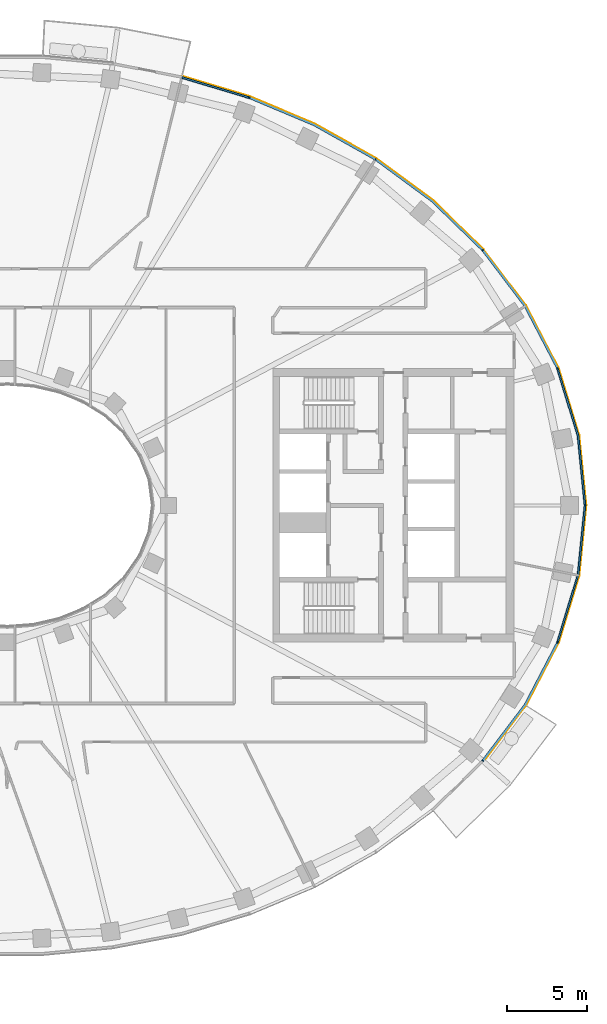
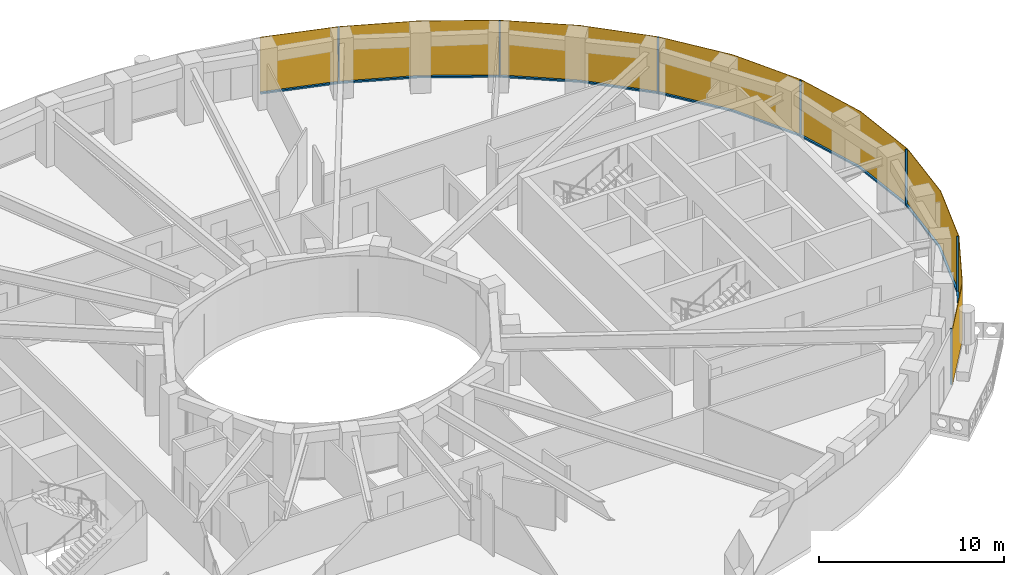
# One storey, part 13 of 16: 14 members, 1 curtain wall.
"""IFC4 building model written with IfcOpenShell, lengths in metres."""

from ifc_helpers import new_model, si_unit, direction, frame, origin, origin_2d, place, context, subcontext, project, spatial, polyline, rectangle, outline, extrude, material, layer, layer_set, material_profile, profile_set, type_object, element, aggregate, save


model = new_model("IFC4")

# Units and contexts
model_context = context("Model", 3, precision=1e-05, world=origin(), true_north=direction((0.0, 1.0)))
body_context = subcontext(model_context, "Body", "Model", "MODEL_VIEW")
ifc_project = project(units=[si_unit("LENGTHUNIT", "METRE"), si_unit("AREAUNIT", "SQUARE_METRE"), si_unit("VOLUMEUNIT", "CUBIC_METRE"), si_unit("PLANEANGLEUNIT", "RADIAN"), si_unit("MASSUNIT", "GRAM", prefix="KILO")], contexts=[model_context])

# Member
ifc_material_1 = material(Name="Aluminium 6063-T6 black anodised", Category="aluminium")
ifc_material_profile = material_profile(ifc_material_1, rectangle(XDim=0.1201171875, YDim=0.06005859375, at=origin_2d()), Name="120x60")
ifc_profile_set = profile_set([ifc_material_profile], Name="Aluminium 6063-T6 black anodised")
member_type_1 = type_object("IfcMemberType", Name="ENV-MULLION-A-120", PredefinedType="MULLION", material=ifc_profile_set)
site_placement = place(None, origin())
building_placement = place(site_placement, origin())
storey_placement = place(building_placement, frame((0.0, 0.0, 249.5)))
member_1_placement = place(storey_placement, frame((29.53857421875, -15.8671875, 0.0), z_axis=(0.0, 0.0, 1.0), x_axis=(-0.749047221705, 0.662516610853, 0.0)))
member_1 = element("IfcMember", 1, at=member_1_placement, type_object=member_type_1, Name="Mullion A radial 43", PredefinedType="MULLION", context=body_context, shape_type="SweptSolid", body=[
    extrude(rectangle(XDim=0.1201171875, YDim=0.06005859375, at=origin_2d()), origin(), (0.0, 0.0, 1.0), 3.699951171875),
])

member_2_placement = place(storey_placement, frame((34.19580078125, -8.513916015625, 0.0), z_axis=(0.0, 0.0, 1.0), x_axis=(-0.92546738067, 0.378827305398, 0.0)))
member_2 = element("IfcMember", 2, at=member_2_placement, type_object=member_type_1, Name="Mullion A radial 45", PredefinedType="MULLION", context=body_context, shape_type="SweptSolid", body=[
    extrude(rectangle(XDim=0.1201171875, YDim=0.06005859375, at=origin_2d()), origin(), (0.0, 0.0, 1.0), 3.699951171875),
])

member_3_placement = place(storey_placement, frame((35.907958984375, 0.0, 0.0), z_axis=(0.0, 0.0, 1.0), x_axis=(-1.0, 0.0, 0.0)))
member_3 = element("IfcMember", 3, at=member_3_placement, type_object=member_type_1, Name="Mullion A radial 01", PredefinedType="MULLION", context=body_context, shape_type="SweptSolid", body=[
    extrude(rectangle(XDim=0.1201171875, YDim=0.06005859375, at=origin_2d()), origin(), (0.0, 0.0, 1.0), 3.699951171875),
])

member_4_placement = place(storey_placement, frame((34.19580078125, 8.513916015625, 0.0), z_axis=(0.0, 0.0, 1.0), x_axis=(-0.92546738067, -0.378827305398, 0.0)))
member_4 = element("IfcMember", 4, at=member_4_placement, type_object=member_type_1, Name="Mullion A radial 03", PredefinedType="MULLION", context=body_context, shape_type="SweptSolid", body=[
    extrude(rectangle(XDim=0.1201171875, YDim=0.06005859375, at=origin_2d()), origin(), (0.0, 0.0, 1.0), 3.699951171875),
])

member_5_placement = place(storey_placement, frame((29.53857421875, 15.8671875, 0.0), z_axis=(0.0, 0.0, 1.0), x_axis=(-0.749047221705, -0.662516610853, 0.0)))
member_5 = element("IfcMember", 5, at=member_5_placement, type_object=member_type_1, Name="Mullion A radial 05", PredefinedType="MULLION", context=body_context, shape_type="SweptSolid", body=[
    extrude(rectangle(XDim=0.1201171875, YDim=0.06005859375, at=origin_2d()), origin(), (0.0, 0.0, 1.0), 3.699951171875),
])

member_6_placement = place(storey_placement, frame((22.882568359375, 21.506591796875, 0.0), z_axis=(0.0, 0.0, 1.0), x_axis=(-0.542279153225, -0.840198381323, 0.0)))
member_6 = element("IfcMember", 6, at=member_6_placement, type_object=member_type_1, Name="Mullion A radial 07", PredefinedType="MULLION", context=body_context, shape_type="SweptSolid", body=[
    extrude(rectangle(XDim=0.1201171875, YDim=0.06005859375, at=origin_2d()), origin(), (0.0, 0.0, 1.0), 3.699951171875),
])

member_7_placement = place(storey_placement, frame((15.0341796875, 25.34375, 0.0), z_axis=(0.0, 0.0, 1.0), x_axis=(-0.338379256581, -0.941009818608, 0.0)))
member_7 = element("IfcMember", 7, at=member_7_placement, type_object=member_type_1, Name="Mullion A radial 09", PredefinedType="MULLION", context=body_context, shape_type="SweptSolid", body=[
    extrude(rectangle(XDim=0.1201171875, YDim=0.06005859375, at=origin_2d()), origin(), (0.0, 0.0, 1.0), 3.699951171875),
])

ifc_material_2 = material(Name="Aluminium 6063-T6 black anodised", Category="aluminium")
member_type_2 = type_object("IfcMemberType", Name="ENV-TRANSOM-A", PredefinedType="USERDEFINED", material=ifc_material_2)
member_8_placement = place(storey_placement, origin())
member_8 = element("IfcMember", 8, at=member_8_placement, type_object=member_type_2, Name="Transom A radial 43-45", ObjectType="TRANSOM", PredefinedType="USERDEFINED", context=body_context, shape_type="SweptSolid", body=[
    extrude(outline(polyline([(29.6005859375, -15.884521484375), (32.22802734375, -12.41748046875), (34.23828125, -8.5615234375), (34.126708984375, -8.515869140625), (32.126220703125, -12.35302734375), (29.51025390625, -15.8046875), (29.6005859375, -15.884521484375)])), origin(), (0.0, 0.0, 1.0), 0.10009765625),
])

member_9_placement = place(storey_placement, origin())
member_9 = element("IfcMember", 9, at=member_9_placement, type_object=member_type_2, Name="Transom A radial 45-01", ObjectType="TRANSOM", PredefinedType="USERDEFINED", context=body_context, shape_type="SweptSolid", body=[
    extrude(outline(polyline([(34.259521484375, -8.509765625), (35.529541015625, -4.352294921875), (35.965087890625, -0.02783203125), (35.844482421875, -0.02783203125), (35.411376953125, -4.32861328125), (34.14794921875, -8.464111328125), (34.259521484375, -8.509765625)])), origin(), (0.0, 0.0, 1.0), 0.10009765625),
])

member_10_placement = place(storey_placement, origin())
member_10 = element("IfcMember", 10, at=member_10_placement, type_object=member_type_2, Name="Transom A radial 01-03", ObjectType="TRANSOM", PredefinedType="USERDEFINED", context=body_context, shape_type="SweptSolid", body=[
    extrude(outline(polyline([(35.965087890625, 0.02783203125), (35.529541015625, 4.352294921875), (34.259521484375, 8.509765625), (34.14794921875, 8.464111328125), (35.411376953125, 4.32861328125), (35.844482421875, 0.02783203125), (35.965087890625, 0.02783203125)])), origin(), (0.0, 0.0, 1.0), 0.10009765625),
])

member_11_placement = place(storey_placement, origin())
member_11 = element("IfcMember", 11, at=member_11_placement, type_object=member_type_2, Name="Transom A radial 03-05", ObjectType="TRANSOM", PredefinedType="USERDEFINED", context=body_context, shape_type="SweptSolid", body=[
    extrude(outline(polyline([(34.23828125, 8.5615234375), (32.22802734375, 12.41748046875), (29.6005859375, 15.884521484375), (29.51025390625, 15.8046875), (32.126220703125, 12.35302734375), (34.126708984375, 8.515869140625), (34.23828125, 8.5615234375)])), origin(), (0.0, 0.0, 1.0), 0.10009765625),
])

member_12_placement = place(storey_placement, origin())
member_12 = element("IfcMember", 12, at=member_12_placement, type_object=member_type_2, Name="Transom A radial 05-07", ObjectType="TRANSOM", PredefinedType="USERDEFINED", context=body_context, shape_type="SweptSolid", body=[
    extrude(outline(polyline([(29.5634765625, 15.926513671875), (26.4423828125, 18.958740234375), (22.937744140625, 21.540283203125), (22.87255859375, 21.439208984375), (26.364501953125, 18.866943359375), (29.473388671875, 15.8466796875), (29.5634765625, 15.926513671875)])), origin(), (0.0, 0.0, 1.0), 0.10009765625),
])

member_13_placement = place(storey_placement, origin())
member_13 = element("IfcMember", 13, at=member_13_placement, type_object=member_type_2, Name="Transom A radial 07-09", ObjectType="TRANSOM", PredefinedType="USERDEFINED", context=body_context, shape_type="SweptSolid", body=[
    extrude(outline(polyline([(22.890625, 21.570556640625), (19.093994140625, 23.701416015625), (15.080322265625, 25.389404296875), (15.03955078125, 25.276123046875), (19.041259765625, 23.593505859375), (22.825439453125, 21.469482421875), (22.890625, 21.570556640625)])), origin(), (0.0, 0.0, 1.0), 0.10009765625),
])

member_14_placement = place(storey_placement, origin())
member_14 = element("IfcMember", 14, at=member_14_placement, type_object=member_type_2, Name="Transom A radial 09-10", ObjectType="TRANSOM", PredefinedType="USERDEFINED", context=body_context, shape_type="SweptSolid", body=[
    extrude(outline(polyline([(15.027587890625, 25.408203125), (10.876708984375, 26.657470703125), (10.847900390625, 26.540771484375), (14.987060546875, 25.295166015625), (15.027587890625, 25.408203125)])), origin(), (0.0, 0.0, 1.0), 0.10009765625),
])

# Site, building, storey
site = spatial("IfcSite", under=ifc_project, at=site_placement, CompositionType="ELEMENT")
building = spatial("IfcBuilding", under=site, at=building_placement, Name="Noorbagh Ring Tower", CompositionType="ELEMENT")
storey = spatial("IfcBuildingStorey", under=building, at=storey_placement, Name="L52", CompositionType="ELEMENT", Elevation=249.5)

# Curtain wall
ifc_material_3 = material(Name="Glass dark tinted laminated", Category="glass")
ifc_layer = layer(ifc_material_3, 0.031982421875)
ifc_layer_set = layer_set([ifc_layer], Name="Glass dark tinted laminated")
curtain_wall_type = type_object("IfcCurtainWallType", Name="ENV-CW-A", PredefinedType="NOTDEFINED", material=ifc_layer_set)
curtain_wall_placement = place(storey_placement, origin())
curtain_wall = element("IfcCurtainWall", 15, at=curtain_wall_placement, inside=storey, type_object=curtain_wall_type, Name="Curtain wall A R43", PredefinedType="NOTDEFINED", context=body_context, shape_type="SweptSolid", body=[
    extrude(outline(polyline([(29.61962890625, -15.912109375), (32.255126953125, -12.434814453125), (34.281005859375, -8.548828125), (35.561279296875, -4.358642578125), (36.0, 0.0), (35.561279296875, 4.358642578125), (34.281005859375, 8.548828125), (32.255126953125, 12.434814453125), (29.607666015625, 15.927978515625), (26.463134765625, 18.9833984375), (22.9326171875, 21.583740234375), (19.108154296875, 23.730224609375), (15.065185546875, 25.430419921875), (10.884521484375, 26.6884765625), (10.876708984375, 26.657470703125), (15.054443359375, 25.400146484375), (19.093994140625, 23.701416015625), (22.9150390625, 21.556884765625), (26.4423828125, 18.958740234375), (29.58349609375, 15.906982421875), (32.22802734375, 12.41748046875), (34.251220703125, 8.53662109375), (35.529541015625, 4.352294921875), (35.9677734375, 0.0), (35.529541015625, -4.352294921875), (34.251220703125, -8.53662109375), (32.22802734375, -12.41748046875), (29.595703125, -15.890869140625), (29.61962890625, -15.912109375)])), origin(), (0.0, 0.0, 1.0), 3.699951171875),
])

aggregate(curtain_wall, [member_1, member_2, member_3, member_4, member_5, member_6, member_7, member_8, member_9, member_10, member_11, member_12, member_13, member_14])

save(model, "model.ifc")
